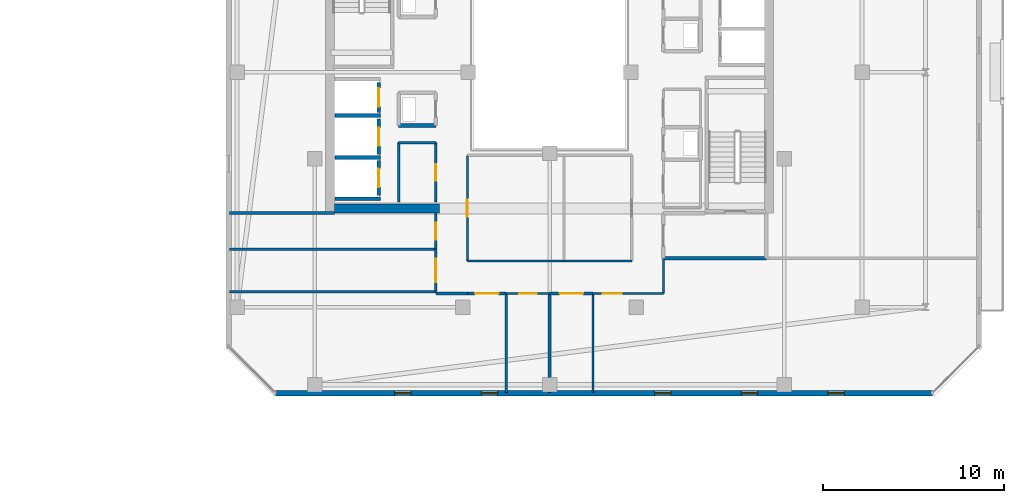
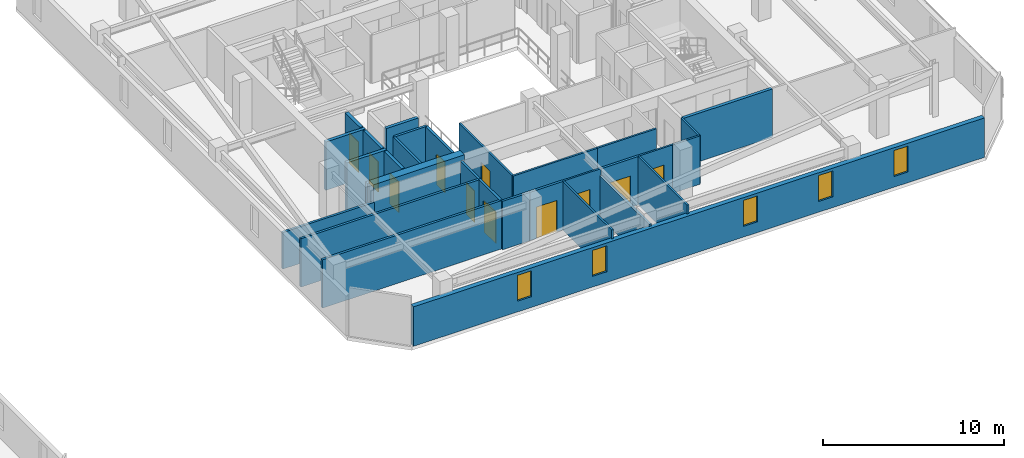
# One storey, part 25 of 35: 31 walls, 11 doors, 5 windows, 16 openings.
"""IFC4 building model written with IfcOpenShell, lengths in metres."""

from ifc_helpers import new_model, si_unit, direction, frame, frame_2d, origin, place, context, subcontext, project, spatial, rectangle, extrude, material, layer, layer_set, type_object, element, fill, save


model = new_model("IFC4")

# Units and contexts
model_context = context("Model", 3, precision=1e-05, world=origin(), true_north=direction((0.0, 1.0)))
body_context = subcontext(model_context, "Body", "Model", "MODEL_VIEW")
ifc_project = project(units=[si_unit("LENGTHUNIT", "METRE"), si_unit("AREAUNIT", "SQUARE_METRE"), si_unit("VOLUMEUNIT", "CUBIC_METRE"), si_unit("PLANEANGLEUNIT", "RADIAN"), si_unit("MASSUNIT", "GRAM", prefix="KILO")], contexts=[model_context])

# Site, building, storey
site_placement = place(None, origin())
site = spatial("IfcSite", under=ifc_project, at=site_placement, CompositionType="ELEMENT")
building_placement = place(site_placement, origin())
building = spatial("IfcBuilding", under=site, at=building_placement, Name="Thornwick Lancets Civic Towers", CompositionType="ELEMENT")
storey_placement = place(building_placement, frame((0.0, 0.0, 276.300048828125)))
storey = spatial("IfcBuildingStorey", under=building, at=storey_placement, Name="L74", CompositionType="ELEMENT", Elevation=276.300048828125)

# Wall, opening, door
ifc_material_1 = material(Name="Concrete blockwork C40/50", Category="masonry")
ifc_layer_1 = layer(ifc_material_1, 0.199951171875, Name="Concrete blockwork C40/50")
ifc_layer_set_1 = layer_set([ifc_layer_1], Name="Concrete blockwork C40/50")
wall_type_1 = type_object("IfcWallType", Name="WALL_COMP_200", PredefinedType="STANDARD", material=ifc_layer_set_1)
wall_1_placement = place(storey_placement, frame((79.050048828125, 24.780029296875, 0.0), z_axis=(0.0, 0.0, 1.0), x_axis=(0.0, 1.0, 0.0)))
wall_1 = element("IfcWall", 1, at=wall_1_placement, inside=storey, type_object=wall_type_1, Name="L74 Hoistway Front Wall FL-B2", PredefinedType="STANDARD", context=body_context, shape_type="SweptSolid", body=[
    extrude(rectangle(XDim=1.639892578125, YDim=0.199951171875, at=frame_2d((0.81982421875, 0.0))), origin(), (0.0, 0.0, 1.0), 3.260009765625),
])
opening_1_placement = place(wall_1_placement, frame((0.31005859375, 0.0, 0.0)))
opening_1 = element("IfcOpeningElement", 2, at=opening_1_placement, cuts=wall_1, Name="Opening LD-FL-B2", PredefinedType="OPENING", context=body_context, shape_type="SweptSolid", body=[
    extrude(rectangle(XDim=1.02001953125, YDim=2.06005859375, at=frame_2d((0.510009765625, 1.030029296875))), frame((0.0, 0.10986328125, 0.0), z_axis=(0.0, -1.0, 0.0), x_axis=(1.0, 0.0, 0.0)), (0.0, 0.0, 1.0), 0.219970703125),
])
ifc_material_2 = material(Name="Brushed bronze stainless steel", Category="steel")
door_type_1 = type_object("IfcDoorType", Name="DOOR_LIFT_SLIDE", OperationType="SLIDING_TO_LEFT", PredefinedType="DOOR", material=ifc_material_2)
door_1_placement = place(opening_1_placement, origin())
door_1 = element("IfcDoor", 3, at=door_1_placement, inside=storey, type_object=door_type_1, Name="L74 Sliding Lift Landing Door LD-FL-B2", OperationType="SLIDING_TO_LEFT", OverallHeight=2.06005859375, OverallWidth=1.02001953125, PredefinedType="DOOR", context=body_context, shape_type="SweptSolid", body=[
    extrude(rectangle(XDim=1.02001953125, YDim=2.06005859375, at=frame_2d((0.510009765625, 1.030029296875))), frame((0.0, 0.02490234375, 0.0), z_axis=(0.0, -1.0, 0.0), x_axis=(1.0, 0.0, 0.0)), (0.0, 0.0, 1.0), 0.050048828125),
])
fill(opening_1, door_1)

wall_2_placement = place(storey_placement, frame((79.050048828125, 22.429931640625, 0.0), z_axis=(0.0, 0.0, 1.0), x_axis=(0.0, 1.0, 0.0)))
wall_2 = element("IfcWall", 4, at=wall_2_placement, inside=storey, type_object=wall_type_1, Name="L74 Hoistway Front Wall PL-BH2", PredefinedType="STANDARD", context=body_context, shape_type="SweptSolid", body=[
    extrude(rectangle(XDim=1.989990234375, YDim=0.199951171875, at=frame_2d((0.9951171875, 0.0))), origin(), (0.0, 0.0, 1.0), 3.260009765625),
])
opening_2_placement = place(wall_2_placement, frame((0.485107421875, 0.0, 0.0)))
opening_2 = element("IfcOpeningElement", 5, at=opening_2_placement, cuts=wall_2, Name="Opening LD-PL-BH2", PredefinedType="OPENING", context=body_context, shape_type="SweptSolid", body=[
    extrude(rectangle(XDim=1.02001953125, YDim=2.06005859375, at=frame_2d((0.510009765625, 1.030029296875))), frame((0.0, 0.10986328125, 0.0), z_axis=(0.0, -1.0, 0.0), x_axis=(1.0, 0.0, 0.0)), (0.0, 0.0, 1.0), 0.219970703125),
])
door_2_placement = place(opening_2_placement, origin())
door_2 = element("IfcDoor", 6, at=door_2_placement, inside=storey, type_object=door_type_1, Name="L74 Sliding Lift Landing Door LD-PL-BH2", OperationType="SLIDING_TO_LEFT", OverallHeight=2.06005859375, OverallWidth=1.02001953125, PredefinedType="DOOR", context=body_context, shape_type="SweptSolid", body=[
    extrude(rectangle(XDim=1.02001953125, YDim=2.06005859375, at=frame_2d((0.510009765625, 1.030029296875))), frame((0.0, 0.02490234375, 0.0), z_axis=(0.0, -1.0, 0.0), x_axis=(1.0, 0.0, 0.0)), (0.0, 0.0, 1.0), 0.050048828125),
])
fill(opening_2, door_2)

wall_3_placement = place(storey_placement, frame((79.050048828125, 20.179931640625, 0.0), z_axis=(0.0, 0.0, 1.0), x_axis=(0.0, 1.0, 0.0)))
wall_3 = element("IfcWall", 7, at=wall_3_placement, inside=storey, type_object=wall_type_1, Name="L74 Hoistway Front Wall PL-BH3", PredefinedType="STANDARD", context=body_context, shape_type="SweptSolid", body=[
    extrude(rectangle(XDim=1.940185546875, YDim=0.199951171875, at=frame_2d((0.97021484375, 0.0))), origin(), (0.0, 0.0, 1.0), 3.260009765625),
])
opening_3_placement = place(wall_3_placement, frame((0.4599609375, 0.0, 0.0)))
opening_3 = element("IfcOpeningElement", 8, at=opening_3_placement, cuts=wall_3, Name="Opening LD-PL-BH3", PredefinedType="OPENING", context=body_context, shape_type="SweptSolid", body=[
    extrude(rectangle(XDim=1.02001953125, YDim=2.06005859375, at=frame_2d((0.510009765625, 1.030029296875))), frame((0.0, 0.10986328125, 0.0), z_axis=(0.0, -1.0, 0.0), x_axis=(1.0, 0.0, 0.0)), (0.0, 0.0, 1.0), 0.219970703125),
])
door_3_placement = place(opening_3_placement, origin())
door_3 = element("IfcDoor", 9, at=door_3_placement, inside=storey, type_object=door_type_1, Name="L74 Sliding Lift Landing Door LD-PL-BH3", OperationType="SLIDING_TO_LEFT", OverallHeight=2.06005859375, OverallWidth=1.02001953125, PredefinedType="DOOR", context=body_context, shape_type="SweptSolid", body=[
    extrude(rectangle(XDim=1.02001953125, YDim=2.06005859375, at=frame_2d((0.510009765625, 1.030029296875))), frame((0.0, 0.02490234375, 0.0), z_axis=(0.0, -1.0, 0.0), x_axis=(1.0, 0.0, 0.0)), (0.0, 0.0, 1.0), 0.050048828125),
])
fill(opening_3, door_3)

# Walls
for number, where, z_axis, x_axis, name in (
    (10, (76.612060546875, 24.60009765625, 0.0), (0.0, 0.0, 1.0), (1.0, 0.0, 0.0), "L74 Hoistway Shaft Wall FL-B2 S"),
    (11, (76.612060546875, 22.27490234375, 0.0), (0.0, 0.0, 1.0), (1.0, 0.0, 0.0), "L74 Hoistway Shaft Wall PL-BH2 S"),
    (12, (76.612060546875, 20.0, 0.0), (0.0, 0.0, 1.0), (1.0, 0.0, 0.0), "L74 Hoistway Shaft Wall PL-BH3 S"),
):
    element("IfcWall", number, at=place(storey_placement, frame(where, z_axis=z_axis, x_axis=x_axis)), inside=storey, type_object=wall_type_1, Name=name, PredefinedType="STANDARD", context=body_context, shape_type="SweptSolid", body=[
        extrude(rectangle(XDim=2.535888671875, YDim=0.199951171875, at=frame_2d((1.26806640625, 0.0))), origin(), (0.0, 0.0, 1.0), 3.260009765625),
    ])
wall_4_placement = place(storey_placement, frame((94.800048828125, 16.699951171875, 0.0), z_axis=(0.0, 0.0, 1.0), x_axis=(1.0, 0.0, 0.0)))
element("IfcWall", 13, at=wall_4_placement, inside=storey, type_object=wall_type_1, Name="L74 Partition L74-B-FFLOB1 E1", PredefinedType="STANDARD", context=body_context, shape_type="SweptSolid", body=[
    extrude(rectangle(XDim=5.699951171875, YDim=0.199951171875, at=frame_2d((2.85009765625, 0.0))), origin(), (0.0, 0.0, 1.0), 3.260009765625),
])
wall_5_placement = place(storey_placement, frame((80.14990234375, 24.050048828125, 0.0), z_axis=(0.0, 0.0, 1.0), x_axis=(1.0, 0.0, 0.0)))
element("IfcWall", 14, at=wall_5_placement, inside=storey, type_object=wall_type_1, Name="L74 Partition L74-B-DUCT2 E1", PredefinedType="STANDARD", context=body_context, shape_type="SweptSolid", body=[
    extrude(rectangle(XDim=2.050048828125, YDim=0.199951171875, at=frame_2d((1.02490234375, 0.0))), origin(), (0.0, 0.0, 1.0), 3.260009765625),
])
ifc_material_3 = material(Name="Concrete C50/60", Category="concrete")
ifc_layer_2 = layer(ifc_material_3, 0.5, Name="Concrete C50/60")
ifc_layer_set_2 = layer_set([ifc_layer_2], Name="Concrete C50/60")
wall_type_2 = type_object("IfcWallType", Name="WALL_CORE_500", PredefinedType="SHEAR", material=ifc_layer_set_2)
wall_6_placement = place(storey_placement, frame((76.60009765625, 19.449951171875, 0.0), z_axis=(0.0, 0.0, 1.0), x_axis=(1.0, 0.0, 0.0)))
element("IfcWall", 15, at=wall_6_placement, inside=storey, type_object=wall_type_2, Name="L74 Split Core B2 Shear Wall S", PredefinedType="SHEAR", context=body_context, shape_type="SweptSolid", body=[
    extrude(rectangle(XDim=5.7998046875, YDim=0.5, at=frame_2d((2.89990234375, 0.0))), origin(), (0.0, 0.0, 1.0), 3.599853515625),
])

# Wall, openings, windows
ifc_material_4 = material(Name="Insulated russet terracotta rainscreen on concrete C40/50", Category="masonry")
ifc_layer_3 = layer(ifc_material_4, 0.300048828125, Name="Insulated russet terracotta rainscreen on concrete C40/50")
ifc_layer_set_3 = layer_set([ifc_layer_3], Name="Insulated russet terracotta rainscreen on concrete C40/50")
wall_type_3 = type_object("IfcWallType", Name="WALL_EXT_RUSSET_300", PredefinedType="STANDARD", material=ifc_layer_set_3)
wall_7_placement = place(storey_placement, frame((73.318603515625, 9.2353515625, 0.0), z_axis=(0.0, 0.0, 1.0), x_axis=(1.0, 0.0, 0.0)))
wall_7 = element("IfcWall", 16, at=wall_7_placement, inside=storey, type_object=wall_type_3, Name="L74 Tower B Terracotta Facade Wall E0", PredefinedType="STANDARD", context=body_context, shape_type="SweptSolid", body=[
    extrude(rectangle(XDim=36.36279296875, YDim=0.300048828125, at=frame_2d((18.181396484375, 0.0))), origin(), (0.0, 0.0, 1.0), 2.659912109375),
])
opening_4_placement = place(wall_7_placement, frame((6.60009765625, 0.0, 0.719970703125)))
opening_4 = element("IfcOpeningElement", 17, at=opening_4_placement, cuts=wall_7, Name="Opening WL-01", PredefinedType="OPENING", context=body_context, shape_type="SweptSolid", body=[
    extrude(rectangle(XDim=0.89990234375, YDim=1.75, at=frame_2d((0.449951171875, 0.875))), frame((0.0, 0.16015625, 0.0), z_axis=(0.0, -1.0, 0.0), x_axis=(1.0, 0.0, 0.0)), (0.0, 0.0, 1.0), 0.320068359375),
])
opening_5_placement = place(wall_7_placement, frame((11.39990234375, 0.0, 0.719970703125)))
opening_5 = element("IfcOpeningElement", 18, at=opening_5_placement, cuts=wall_7, Name="Opening WL-01", PredefinedType="OPENING", context=body_context, shape_type="SweptSolid", body=[
    extrude(rectangle(XDim=0.89990234375, YDim=1.75, at=frame_2d((0.449951171875, 0.875))), frame((0.0, 0.16015625, 0.0), z_axis=(0.0, -1.0, 0.0), x_axis=(1.0, 0.0, 0.0)), (0.0, 0.0, 1.0), 0.320068359375),
])
opening_6_placement = place(wall_7_placement, frame((21.0, 0.0, 0.719970703125)))
opening_6 = element("IfcOpeningElement", 19, at=opening_6_placement, cuts=wall_7, Name="Opening WL-01", PredefinedType="OPENING", context=body_context, shape_type="SweptSolid", body=[
    extrude(rectangle(XDim=0.89990234375, YDim=1.75, at=frame_2d((0.449951171875, 0.875))), frame((0.0, 0.16015625, 0.0), z_axis=(0.0, -1.0, 0.0), x_axis=(1.0, 0.0, 0.0)), (0.0, 0.0, 1.0), 0.320068359375),
])
opening_7_placement = place(wall_7_placement, frame((25.800048828125, 0.0, 0.719970703125)))
opening_7 = element("IfcOpeningElement", 20, at=opening_7_placement, cuts=wall_7, Name="Opening WL-01", PredefinedType="OPENING", context=body_context, shape_type="SweptSolid", body=[
    extrude(rectangle(XDim=0.89990234375, YDim=1.75, at=frame_2d((0.449951171875, 0.875))), frame((0.0, 0.16015625, 0.0), z_axis=(0.0, -1.0, 0.0), x_axis=(1.0, 0.0, 0.0)), (0.0, 0.0, 1.0), 0.320068359375),
])
opening_8_placement = place(wall_7_placement, frame((30.60009765625, 0.0, 0.719970703125)))
opening_8 = element("IfcOpeningElement", 21, at=opening_8_placement, cuts=wall_7, Name="Opening WL-01", PredefinedType="OPENING", context=body_context, shape_type="SweptSolid", body=[
    extrude(rectangle(XDim=0.89990234375, YDim=1.75, at=frame_2d((0.449951171875, 0.875))), frame((0.0, 0.16015625, 0.0), z_axis=(0.0, -1.0, 0.0), x_axis=(1.0, 0.0, 0.0)), (0.0, 0.0, 1.0), 0.320068359375),
])
ifc_material_5 = material(Name="Clear low-e double glazing in bronze frame", Category="glass")
window_type = type_object("IfcWindowType", Name="WIN_LANCET_900", PartitioningType="SINGLE_PANEL", PredefinedType="WINDOW", material=ifc_material_5)
window_1_placement = place(opening_4_placement, origin())
window_1 = element("IfcWindow", 22, at=window_1_placement, inside=storey, type_object=window_type, Name="L74 Tower B Staggered Lancet Window E0-1", OverallHeight=1.75, OverallWidth=0.89990234375, PartitioningType="SINGLE_PANEL", PredefinedType="WINDOW", context=body_context, shape_type="SweptSolid", body=[
    extrude(rectangle(XDim=0.89990234375, YDim=1.75, at=frame_2d((0.449951171875, 0.875))), frame((0.0, 0.030029296875, 0.0), z_axis=(0.0, -1.0, 0.0), x_axis=(1.0, 0.0, 0.0)), (0.0, 0.0, 1.0), 0.06005859375),
])
fill(opening_4, window_1)
window_2_placement = place(opening_5_placement, origin())
window_2 = element("IfcWindow", 23, at=window_2_placement, inside=storey, type_object=window_type, Name="L74 Tower B Staggered Lancet Window E0-2", OverallHeight=1.75, OverallWidth=0.89990234375, PartitioningType="SINGLE_PANEL", PredefinedType="WINDOW", context=body_context, shape_type="SweptSolid", body=[
    extrude(rectangle(XDim=0.89990234375, YDim=1.75, at=frame_2d((0.449951171875, 0.875))), frame((0.0, 0.030029296875, 0.0), z_axis=(0.0, -1.0, 0.0), x_axis=(1.0, 0.0, 0.0)), (0.0, 0.0, 1.0), 0.06005859375),
])
fill(opening_5, window_2)
window_3_placement = place(opening_6_placement, origin())
window_3 = element("IfcWindow", 24, at=window_3_placement, inside=storey, type_object=window_type, Name="L74 Tower B Staggered Lancet Window E0-3", OverallHeight=1.75, OverallWidth=0.89990234375, PartitioningType="SINGLE_PANEL", PredefinedType="WINDOW", context=body_context, shape_type="SweptSolid", body=[
    extrude(rectangle(XDim=0.89990234375, YDim=1.75, at=frame_2d((0.449951171875, 0.875))), frame((0.0, 0.030029296875, 0.0), z_axis=(0.0, -1.0, 0.0), x_axis=(1.0, 0.0, 0.0)), (0.0, 0.0, 1.0), 0.06005859375),
])
fill(opening_6, window_3)
window_4_placement = place(opening_7_placement, origin())
window_4 = element("IfcWindow", 25, at=window_4_placement, inside=storey, type_object=window_type, Name="L74 Tower B Staggered Lancet Window E0-4", OverallHeight=1.75, OverallWidth=0.89990234375, PartitioningType="SINGLE_PANEL", PredefinedType="WINDOW", context=body_context, shape_type="SweptSolid", body=[
    extrude(rectangle(XDim=0.89990234375, YDim=1.75, at=frame_2d((0.449951171875, 0.875))), frame((0.0, 0.030029296875, 0.0), z_axis=(0.0, -1.0, 0.0), x_axis=(1.0, 0.0, 0.0)), (0.0, 0.0, 1.0), 0.06005859375),
])
fill(opening_7, window_4)
window_5_placement = place(opening_8_placement, origin())
window_5 = element("IfcWindow", 26, at=window_5_placement, inside=storey, type_object=window_type, Name="L74 Tower B Staggered Lancet Window E0-5", OverallHeight=1.75, OverallWidth=0.89990234375, PartitioningType="SINGLE_PANEL", PredefinedType="WINDOW", context=body_context, shape_type="SweptSolid", body=[
    extrude(rectangle(XDim=0.89990234375, YDim=1.75, at=frame_2d((0.449951171875, 0.875))), frame((0.0, 0.030029296875, 0.0), z_axis=(0.0, -1.0, 0.0), x_axis=(1.0, 0.0, 0.0)), (0.0, 0.0, 1.0), 0.06005859375),
])
fill(opening_8, window_5)

# Wall
ifc_material_6 = material(Name="Acoustic gypsum board partition")
ifc_layer_4 = layer(ifc_material_6, 0.1201171875, Name="Acoustic gypsum board partition")
ifc_layer_set_4 = layer_set([ifc_layer_4], Name="Acoustic gypsum board partition")
wall_type_4 = type_object("IfcWallType", Name="WALL_PART_120", PredefinedType="PARTITIONING", material=ifc_layer_set_4)
wall_8_placement = place(storey_placement, frame((90.89990234375, 9.280029296875, 0.0), z_axis=(0.0, 0.0, 1.0), x_axis=(0.0, 1.0, 0.0)))
element("IfcWall", 27, at=wall_8_placement, inside=storey, type_object=wall_type_4, Name="L74 Partition L74-B-W1 E2", PredefinedType="PARTITIONING", context=body_context, shape_type="SweptSolid", body=[
    extrude(rectangle(XDim=5.469970703125, YDim=0.1201171875, at=frame_2d((2.73486328125, 0.0))), origin(), (0.0, 0.0, 1.0), 3.260009765625),
])

# Wall, opening, door
wall_9_placement = place(storey_placement, frame((90.89990234375, 14.75, 0.0), z_axis=(0.0, 0.0, 1.0), x_axis=(1.0, 0.0, 0.0)))
wall_9 = element("IfcWall", 28, at=wall_9_placement, inside=storey, type_object=wall_type_4, Name="L74 Partition L74-B-W1 E3", PredefinedType="PARTITIONING", context=body_context, shape_type="SweptSolid", body=[
    extrude(rectangle(XDim=2.150146484375, YDim=0.1201171875, at=frame_2d((1.0751953125, 0.0))), origin(), (0.0, 0.0, 1.0), 3.260009765625),
])
opening_9_placement = place(wall_9_placement, frame((0.550048828125, 0.0, 0.0)))
opening_9 = element("IfcOpeningElement", 29, at=opening_9_placement, cuts=wall_9, Name="Opening D-L74-3428", PredefinedType="OPENING", context=body_context, shape_type="SweptSolid", body=[
    extrude(rectangle(XDim=1.050048828125, YDim=2.10009765625, at=frame_2d((0.52490234375, 1.050048828125))), frame((0.0, 0.070068359375, 0.0), z_axis=(0.0, -1.0, 0.0), x_axis=(1.0, 0.0, 0.0)), (0.0, 0.0, 1.0), 0.14013671875),
])
ifc_material_7 = material(Name="Glazed European oak executive doorset")
door_type_2 = type_object("IfcDoorType", Name="DOOR_OFFICE_1050", OperationType="NOTDEFINED", PredefinedType="DOOR", material=ifc_material_7)
door_4_placement = place(opening_9_placement, origin())
door_4 = element("IfcDoor", 30, at=door_4_placement, inside=storey, type_object=door_type_2, Name="L74 Tower B Ministry Directorate Office W1 Door", OperationType="SINGLE_SWING_LEFT", OverallHeight=2.10009765625, OverallWidth=1.050048828125, PredefinedType="DOOR", context=body_context, shape_type="SweptSolid", body=[
    extrude(rectangle(XDim=1.050048828125, YDim=2.10009765625, at=frame_2d((0.52490234375, 1.050048828125))), frame((0.0, 0.02490234375, 0.0), z_axis=(0.0, -1.0, 0.0), x_axis=(1.0, 0.0, 0.0)), (0.0, 0.0, 1.0), 0.050048828125),
])
fill(opening_9, door_4)

# Walls
wall_10_placement = place(storey_placement, frame((93.050048828125, 14.75, 0.0), z_axis=(0.0, 0.0, 1.0), x_axis=(1.0, 0.0, 0.0)))
element("IfcWall", 31, at=wall_10_placement, inside=storey, type_object=wall_type_4, Name="L74 Partition L74-B-W1 E4", PredefinedType="PARTITIONING", context=body_context, shape_type="SweptSolid", body=[
    extrude(rectangle(XDim=1.75, YDim=0.1201171875, at=frame_2d((0.875, 0.0))), origin(), (0.0, 0.0, 1.0), 3.260009765625),
])
wall_11_placement = place(storey_placement, frame((94.800048828125, 14.75, 0.0), z_axis=(0.0, 0.0, 1.0), x_axis=(0.0, 1.0, 0.0)))
element("IfcWall", 32, at=wall_11_placement, inside=storey, type_object=wall_type_4, Name="L74 Partition L74-B-W1 E5", PredefinedType="PARTITIONING", context=body_context, shape_type="SweptSolid", body=[
    extrude(rectangle(XDim=1.949951171875, YDim=0.1201171875, at=frame_2d((0.97509765625, 0.0))), origin(), (0.0, 0.0, 1.0), 3.260009765625),
])
wall_12_placement = place(storey_placement, frame((86.10009765625, 9.280029296875, 0.0), z_axis=(0.0, 0.0, 1.0), x_axis=(0.0, 1.0, 0.0)))
element("IfcWall", 33, at=wall_12_placement, inside=storey, type_object=wall_type_4, Name="L74 Partition L74-B-W2B E3", PredefinedType="PARTITIONING", context=body_context, shape_type="SweptSolid", body=[
    extrude(rectangle(XDim=5.469970703125, YDim=0.1201171875, at=frame_2d((2.73486328125, 0.0))), origin(), (0.0, 0.0, 1.0), 3.260009765625),
])

# Wall, opening, door
wall_13_placement = place(storey_placement, frame((86.10009765625, 14.75, 0.0), z_axis=(0.0, 0.0, 1.0), x_axis=(1.0, 0.0, 0.0)))
wall_13 = element("IfcWall", 34, at=wall_13_placement, inside=storey, type_object=wall_type_4, Name="L74 Partition L74-B-W2B E4", PredefinedType="PARTITIONING", context=body_context, shape_type="SweptSolid", body=[
    extrude(rectangle(XDim=2.39990234375, YDim=0.1201171875, at=frame_2d((1.199951171875, 0.0))), origin(), (0.0, 0.0, 1.0), 3.260009765625),
])
opening_10_placement = place(wall_13_placement, frame((0.72509765625, 0.0, 0.0)))
opening_10 = element("IfcOpeningElement", 35, at=opening_10_placement, cuts=wall_13, Name="Opening D-L74-3430", PredefinedType="OPENING", context=body_context, shape_type="SweptSolid", body=[
    extrude(rectangle(XDim=0.949951171875, YDim=2.10009765625, at=frame_2d((0.47509765625, 1.050048828125))), frame((0.0, 0.070068359375, 0.0), z_axis=(0.0, -1.0, 0.0), x_axis=(1.0, 0.0, 0.0)), (0.0, 0.0, 1.0), 0.14013671875),
])
ifc_material_8 = material(Name="European oak acoustic doorset")
door_type_3 = type_object("IfcDoorType", Name="DOOR_OFFICE_950", OperationType="NOTDEFINED", PredefinedType="DOOR", material=ifc_material_8)
door_5_placement = place(opening_10_placement, origin())
door_5 = element("IfcDoor", 36, at=door_5_placement, inside=storey, type_object=door_type_3, Name="L74 Tower B Senior Counsel Office W2B Door", OperationType="SINGLE_SWING_LEFT", OverallHeight=2.10009765625, OverallWidth=0.949951171875, PredefinedType="DOOR", context=body_context, shape_type="SweptSolid", body=[
    extrude(rectangle(XDim=0.949951171875, YDim=2.10009765625, at=frame_2d((0.47509765625, 1.050048828125))), frame((0.0, 0.02490234375, 0.0), z_axis=(0.0, -1.0, 0.0), x_axis=(1.0, 0.0, 0.0)), (0.0, 0.0, 1.0), 0.050048828125),
])
fill(opening_10, door_5)

# Wall
wall_14_placement = place(storey_placement, frame((93.050048828125, 16.550048828125, 0.0), z_axis=(0.0, 0.0, 1.0), x_axis=(-1.0, 0.0, 0.0)))
element("IfcWall", 37, at=wall_14_placement, inside=storey, type_object=wall_type_4, Name="L74 Partition L74-B-W3 E4", PredefinedType="PARTITIONING", context=body_context, shape_type="SweptSolid", body=[
    extrude(rectangle(XDim=3.75, YDim=0.1201171875, at=frame_2d((1.875, 0.0))), origin(), (0.0, 0.0, 1.0), 3.260009765625),
])

# Wall, opening, door
wall_15_placement = place(storey_placement, frame((83.949951171875, 16.550048828125, 0.0), z_axis=(0.0, 0.0, 1.0), x_axis=(0.0, 1.0, 0.0)))
wall_15 = element("IfcWall", 38, at=wall_15_placement, inside=storey, type_object=wall_type_4, Name="L74 Partition L74-B-W4 E1", PredefinedType="PARTITIONING", context=body_context, shape_type="SweptSolid", body=[
    extrude(rectangle(XDim=5.849853515625, YDim=0.1201171875, at=frame_2d((2.9248046875, 0.0))), origin(), (0.0, 0.0, 1.0), 3.260009765625),
])
opening_11_placement = place(wall_15_placement, frame((2.449951171875, 0.0, 0.0)))
opening_11 = element("IfcOpeningElement", 39, at=opening_11_placement, cuts=wall_15, Name="Opening D-L74-3433", PredefinedType="OPENING", context=body_context, shape_type="SweptSolid", body=[
    extrude(rectangle(XDim=0.949951171875, YDim=2.10009765625, at=frame_2d((0.47509765625, 1.050048828125))), frame((0.0, 0.070068359375, 0.0), z_axis=(0.0, -1.0, 0.0), x_axis=(1.0, 0.0, 0.0)), (0.0, 0.0, 1.0), 0.14013671875),
])
door_6_placement = place(opening_11_placement, origin())
door_6 = element("IfcDoor", 40, at=door_6_placement, inside=storey, type_object=door_type_3, Name="L74 Tower B Statutory Research Library W4 Door", OperationType="SINGLE_SWING_RIGHT", OverallHeight=2.10009765625, OverallWidth=0.949951171875, PredefinedType="DOOR", context=body_context, shape_type="SweptSolid", body=[
    extrude(rectangle(XDim=0.949951171875, YDim=2.10009765625, at=frame_2d((0.47509765625, 1.050048828125))), frame((0.0, 0.02490234375, 0.0), z_axis=(0.0, -1.0, 0.0), x_axis=(1.0, 0.0, 0.0)), (0.0, 0.0, 1.0), 0.050048828125),
])
fill(opening_11, door_6)

# Wall
wall_16_placement = place(storey_placement, frame((89.300048828125, 16.550048828125, 0.0), z_axis=(0.0, 0.0, 1.0), x_axis=(-1.0, 0.0, 0.0)))
element("IfcWall", 41, at=wall_16_placement, inside=storey, type_object=wall_type_4, Name="L74 Partition L74-B-W4 E4", PredefinedType="PARTITIONING", context=body_context, shape_type="SweptSolid", body=[
    extrude(rectangle(XDim=5.35009765625, YDim=0.1201171875, at=frame_2d((2.675048828125, 0.0))), origin(), (0.0, 0.0, 1.0), 3.260009765625),
])

# Wall, opening, door
ifc_material_9 = material(Name="Twin-stud acoustic gypsum board")
ifc_layer_5 = layer(ifc_material_9, 0.14990234375, Name="Twin-stud acoustic gypsum board")
ifc_layer_set_5 = layer_set([ifc_layer_5], Name="Twin-stud acoustic gypsum board")
wall_type_5 = type_object("IfcWallType", Name="WALL_PART_150", PredefinedType="PARTITIONING", material=ifc_layer_set_5)
wall_17_placement = place(storey_placement, frame((82.199951171875, 19.800048828125, 0.0), z_axis=(0.0, 0.0, 1.0), x_axis=(0.0, 1.0, 0.0)))
wall_17 = element("IfcWall", 42, at=wall_17_placement, inside=storey, type_object=wall_type_5, Name="L74 Partition L74-B-MWC E2", PredefinedType="PARTITIONING", context=body_context, shape_type="SweptSolid", body=[
    extrude(rectangle(XDim=3.300048828125, YDim=0.14990234375, at=frame_2d((1.64990234375, 0.0))), origin(), (0.0, 0.0, 1.0), 3.260009765625),
])
opening_12_placement = place(wall_17_placement, frame((1.18994140625, 0.0, 0.0)))
opening_12 = element("IfcOpeningElement", 43, at=opening_12_placement, cuts=wall_17, Name="Opening D-L74-3407", PredefinedType="OPENING", context=body_context, shape_type="SweptSolid", body=[
    extrude(rectangle(XDim=0.919921875, YDim=2.080078125, at=frame_2d((0.4599609375, 1.0400390625))), frame((0.0, 0.0849609375, 0.0), z_axis=(0.0, -1.0, 0.0), x_axis=(1.0, 0.0, 0.0)), (0.0, 0.0, 1.0), 0.169921875),
])
ifc_material_10 = material(Name="Moisture-resistant oak doorset")
door_type_4 = type_object("IfcDoorType", Name="DOOR_WC_900", OperationType="NOTDEFINED", PredefinedType="DOOR", material=ifc_material_10)
door_7_placement = place(opening_12_placement, origin())
door_7 = element("IfcDoor", 44, at=door_7_placement, inside=storey, type_object=door_type_4, Name="L74 Tower B Male WC Door", OperationType="SINGLE_SWING_RIGHT", OverallHeight=2.080078125, OverallWidth=0.919921875, PredefinedType="DOOR", context=body_context, shape_type="SweptSolid", body=[
    extrude(rectangle(XDim=0.919921875, YDim=2.080078125, at=frame_2d((0.4599609375, 1.0400390625))), frame((0.0, 0.02490234375, 0.0), z_axis=(0.0, -1.0, 0.0), x_axis=(1.0, 0.0, 0.0)), (0.0, 0.0, 1.0), 0.050048828125),
])
fill(opening_12, door_7)

# Walls
wall_18_placement = place(storey_placement, frame((82.199951171875, 23.10009765625, 0.0), z_axis=(0.0, 0.0, 1.0), x_axis=(-1.0, 0.0, 0.0)))
element("IfcWall", 45, at=wall_18_placement, inside=storey, type_object=wall_type_5, Name="L74 Partition L74-B-MWC E3", PredefinedType="PARTITIONING", context=body_context, shape_type="SweptSolid", body=[
    extrude(rectangle(XDim=2.050048828125, YDim=0.14990234375, at=frame_2d((1.02490234375, 0.0))), origin(), (0.0, 0.0, 1.0), 3.260009765625),
])
wall_19_placement = place(storey_placement, frame((80.14990234375, 23.10009765625, 0.0), z_axis=(0.0, 0.0, 1.0), x_axis=(0.0, -1.0, 0.0)))
element("IfcWall", 46, at=wall_19_placement, inside=storey, type_object=wall_type_5, Name="L74 Partition L74-B-MWC E4", PredefinedType="PARTITIONING", context=body_context, shape_type="SweptSolid", body=[
    extrude(rectangle(XDim=3.300048828125, YDim=0.14990234375, at=frame_2d((1.64990234375, 0.0))), origin(), (0.0, 0.0, 1.0), 3.260009765625),
])
for number, where, z_axis, x_axis, name in (
    (47, (82.199951171875, 14.85009765625, 0.0), (0.0, 0.0, 1.0), (-1.0, 0.0, 0.0), "L74 Partition L74-B-RECLAIM-M1 E1"),
    (48, (70.780029296875, 17.199951171875, 0.0), (0.0, 0.0, 1.0), (1.0, 0.0, 0.0), "L74 Partition L74-B-RECLAIM-M1 E3"),
):
    element("IfcWall", number, at=place(storey_placement, frame(where, z_axis=z_axis, x_axis=x_axis)), inside=storey, type_object=wall_type_5, Name=name, PredefinedType="PARTITIONING", context=body_context, shape_type="SweptSolid", body=[
        extrude(rectangle(XDim=11.419921875, YDim=0.14990234375, at=frame_2d((5.7099609375, 0.0))), origin(), (0.0, 0.0, 1.0), 3.260009765625),
    ])

# Wall, opening, door
wall_20_placement = place(storey_placement, frame((82.199951171875, 17.199951171875, 0.0), z_axis=(0.0, 0.0, 1.0), x_axis=(0.0, -1.0, 0.0)))
wall_20 = element("IfcWall", 49, at=wall_20_placement, inside=storey, type_object=wall_type_5, Name="L74 Partition L74-B-RECLAIM-M1 E4", PredefinedType="PARTITIONING", context=body_context, shape_type="SweptSolid", body=[
    extrude(rectangle(XDim=2.349853515625, YDim=0.14990234375, at=frame_2d((1.1748046875, 0.0))), origin(), (0.0, 0.0, 1.0), 3.260009765625),
])
opening_13_placement = place(wall_20_placement, frame((0.52490234375, 0.0, 0.0)))
opening_13 = element("IfcOpeningElement", 50, at=opening_13_placement, cuts=wall_20, Name="Opening D-L74-3426", PredefinedType="OPENING", context=body_context, shape_type="SweptSolid", body=[
    extrude(rectangle(XDim=1.300048828125, YDim=2.1201171875, at=frame_2d((0.64990234375, 1.06005859375))), frame((0.0, 0.0849609375, 0.0), z_axis=(0.0, -1.0, 0.0), x_axis=(1.0, 0.0, 0.0)), (0.0, 0.0, 1.0), 0.169921875),
])
ifc_material_11 = material(Name="Acoustic oak leaf-and-a-half doorset")
door_type_5 = type_object("IfcDoorType", Name="DOOR_MEET_1300", OperationType="DOUBLE_DOOR_SINGLE_SWING", PredefinedType="DOOR", material=ifc_material_11)
door_8_placement = place(opening_13_placement, origin())
door_8 = element("IfcDoor", 51, at=door_8_placement, inside=storey, type_object=door_type_5, Name="L74 Tower B Diplomatic Conference Room Door", OperationType="DOUBLE_DOOR_SINGLE_SWING", OverallHeight=2.1201171875, OverallWidth=1.300048828125, PredefinedType="DOOR", context=body_context, shape_type="SweptSolid", body=[
    extrude(rectangle(XDim=1.300048828125, YDim=2.1201171875, at=frame_2d((0.64990234375, 1.06005859375))), frame((0.0, 0.02490234375, 0.0), z_axis=(0.0, -1.0, 0.0), x_axis=(1.0, 0.0, 0.0)), (0.0, 0.0, 1.0), 0.050048828125),
])
fill(opening_13, door_8)

# Wall
wall_21_placement = place(storey_placement, frame((70.780029296875, 19.199951171875, 0.0), z_axis=(0.0, 0.0, 1.0), x_axis=(1.0, 0.0, 0.0)))
element("IfcWall", 52, at=wall_21_placement, inside=storey, type_object=wall_type_5, Name="L74 Partition L74-B-RECLAIM-M2 E3", PredefinedType="PARTITIONING", context=body_context, shape_type="SweptSolid", body=[
    extrude(rectangle(XDim=5.820068359375, YDim=0.14990234375, at=frame_2d((2.91015625, 0.0))), origin(), (0.0, 0.0, 1.0), 2.46484375),
])

# Wall, opening, door
wall_22_placement = place(storey_placement, frame((82.199951171875, 19.199951171875, 0.0), z_axis=(0.0, 0.0, 1.0), x_axis=(0.0, -1.0, 0.0)))
wall_22 = element("IfcWall", 53, at=wall_22_placement, inside=storey, type_object=wall_type_5, Name="L74 Partition L74-B-RECLAIM-M2 E4", PredefinedType="PARTITIONING", context=body_context, shape_type="SweptSolid", body=[
    extrude(rectangle(XDim=2.0, YDim=0.14990234375, at=frame_2d((1.0, 0.0))), origin(), (0.0, 0.0, 1.0), 3.260009765625),
])
opening_14_placement = place(wall_22_placement, frame((0.52490234375, 0.0, 0.0)))
opening_14 = element("IfcOpeningElement", 54, at=opening_14_placement, cuts=wall_22, Name="Opening D-L74-3427", PredefinedType="OPENING", context=body_context, shape_type="SweptSolid", body=[
    extrude(rectangle(XDim=0.949951171875, YDim=2.10009765625, at=frame_2d((0.47509765625, 1.050048828125))), frame((0.0, 0.0849609375, 0.0), z_axis=(0.0, -1.0, 0.0), x_axis=(1.0, 0.0, 0.0)), (0.0, 0.0, 1.0), 0.169921875),
])
door_9_placement = place(opening_14_placement, origin())
door_9 = element("IfcDoor", 55, at=door_9_placement, inside=storey, type_object=door_type_3, Name="L74 Tower B Executive Records Archive Door", OperationType="SINGLE_SWING_RIGHT", OverallHeight=2.10009765625, OverallWidth=0.949951171875, PredefinedType="DOOR", context=body_context, shape_type="SweptSolid", body=[
    extrude(rectangle(XDim=0.949951171875, YDim=2.10009765625, at=frame_2d((0.47509765625, 1.050048828125))), frame((0.0, 0.02490234375, 0.0), z_axis=(0.0, -1.0, 0.0), x_axis=(1.0, 0.0, 0.0)), (0.0, 0.0, 1.0), 0.050048828125),
])
fill(opening_14, door_9)

# Wall
wall_23_placement = place(storey_placement, frame((88.5, 9.280029296875, 0.0), z_axis=(0.0, 0.0, 1.0), x_axis=(0.0, 1.0, 0.0)))
element("IfcWall", 56, at=wall_23_placement, inside=storey, type_object=wall_type_5, Name="L74 Partition L74-B-W2 E3", PredefinedType="PARTITIONING", context=body_context, shape_type="SweptSolid", body=[
    extrude(rectangle(XDim=5.469970703125, YDim=0.14990234375, at=frame_2d((2.73486328125, 0.0))), origin(), (0.0, 0.0, 1.0), 2.801513671875),
])

# Wall, opening, door
wall_24_placement = place(storey_placement, frame((88.5, 14.75, 0.0), z_axis=(0.0, 0.0, 1.0), x_axis=(1.0, 0.0, 0.0)))
wall_24 = element("IfcWall", 57, at=wall_24_placement, inside=storey, type_object=wall_type_5, Name="L74 Partition L74-B-W2 E4", PredefinedType="PARTITIONING", context=body_context, shape_type="SweptSolid", body=[
    extrude(rectangle(XDim=2.39990234375, YDim=0.14990234375, at=frame_2d((1.199951171875, 0.0))), origin(), (0.0, 0.0, 1.0), 3.260009765625),
])
opening_15_placement = place(wall_24_placement, frame((0.550048828125, 0.0, 0.0)))
opening_15 = element("IfcOpeningElement", 58, at=opening_15_placement, cuts=wall_24, Name="Opening D-L74-3429", PredefinedType="OPENING", context=body_context, shape_type="SweptSolid", body=[
    extrude(rectangle(XDim=1.300048828125, YDim=2.1201171875, at=frame_2d((0.64990234375, 1.06005859375))), frame((0.0, 0.0849609375, 0.0), z_axis=(0.0, -1.0, 0.0), x_axis=(1.0, 0.0, 0.0)), (0.0, 0.0, 1.0), 0.169921875),
])
door_10_placement = place(opening_15_placement, origin())
door_10 = element("IfcDoor", 59, at=door_10_placement, inside=storey, type_object=door_type_5, Name="L74 Tower B Policy Briefing Room W2 Door", OperationType="DOUBLE_DOOR_SINGLE_SWING", OverallHeight=2.1201171875, OverallWidth=1.300048828125, PredefinedType="DOOR", context=body_context, shape_type="SweptSolid", body=[
    extrude(rectangle(XDim=1.300048828125, YDim=2.1201171875, at=frame_2d((0.64990234375, 1.06005859375))), frame((0.0, 0.02490234375, 0.0), z_axis=(0.0, -1.0, 0.0), x_axis=(1.0, 0.0, 0.0)), (0.0, 0.0, 1.0), 0.050048828125),
])
fill(opening_15, door_10)

# Wall
wall_25_placement = place(storey_placement, frame((82.199951171875, 14.75, 0.0), z_axis=(0.0, 0.0, 1.0), x_axis=(1.0, 0.0, 0.0)))
element("IfcWall", 60, at=wall_25_placement, inside=storey, type_object=wall_type_5, Name="L74 Partition L74-B-W2C E5", PredefinedType="PARTITIONING", context=body_context, shape_type="SweptSolid", body=[
    extrude(rectangle(XDim=1.75, YDim=0.14990234375, at=frame_2d((0.875, 0.0))), origin(), (0.0, 0.0, 1.0), 3.260009765625),
])

# Wall, opening, door
wall_26_placement = place(storey_placement, frame((83.949951171875, 14.75, 0.0), z_axis=(0.0, 0.0, 1.0), x_axis=(1.0, 0.0, 0.0)))
wall_26 = element("IfcWall", 61, at=wall_26_placement, inside=storey, type_object=wall_type_5, Name="L74 Partition L74-B-W2C E6", PredefinedType="PARTITIONING", context=body_context, shape_type="SweptSolid", body=[
    extrude(rectangle(XDim=2.150146484375, YDim=0.14990234375, at=frame_2d((1.0751953125, 0.0))), origin(), (0.0, 0.0, 1.0), 3.260009765625),
])
opening_16_placement = place(wall_26_placement, frame((0.425048828125, 0.0, 0.0)))
opening_16 = element("IfcOpeningElement", 62, at=opening_16_placement, cuts=wall_26, Name="Opening D-L74-3431", PredefinedType="OPENING", context=body_context, shape_type="SweptSolid", body=[
    extrude(rectangle(XDim=1.300048828125, YDim=2.1201171875, at=frame_2d((0.64990234375, 1.06005859375))), frame((0.0, 0.0849609375, 0.0), z_axis=(0.0, -1.0, 0.0), x_axis=(1.0, 0.0, 0.0)), (0.0, 0.0, 1.0), 0.169921875),
])
door_11_placement = place(opening_16_placement, origin())
door_11 = element("IfcDoor", 63, at=door_11_placement, inside=storey, type_object=door_type_5, Name="L74 Tower B Statutory Hearing Room W2C Door", OperationType="DOUBLE_DOOR_SINGLE_SWING", OverallHeight=2.1201171875, OverallWidth=1.300048828125, PredefinedType="DOOR", context=body_context, shape_type="SweptSolid", body=[
    extrude(rectangle(XDim=1.300048828125, YDim=2.1201171875, at=frame_2d((0.64990234375, 1.06005859375))), frame((0.0, 0.02490234375, 0.0), z_axis=(0.0, -1.0, 0.0), x_axis=(1.0, 0.0, 0.0)), (0.0, 0.0, 1.0), 0.050048828125),
])
fill(opening_16, door_11)

save(model, "model.ifc")
